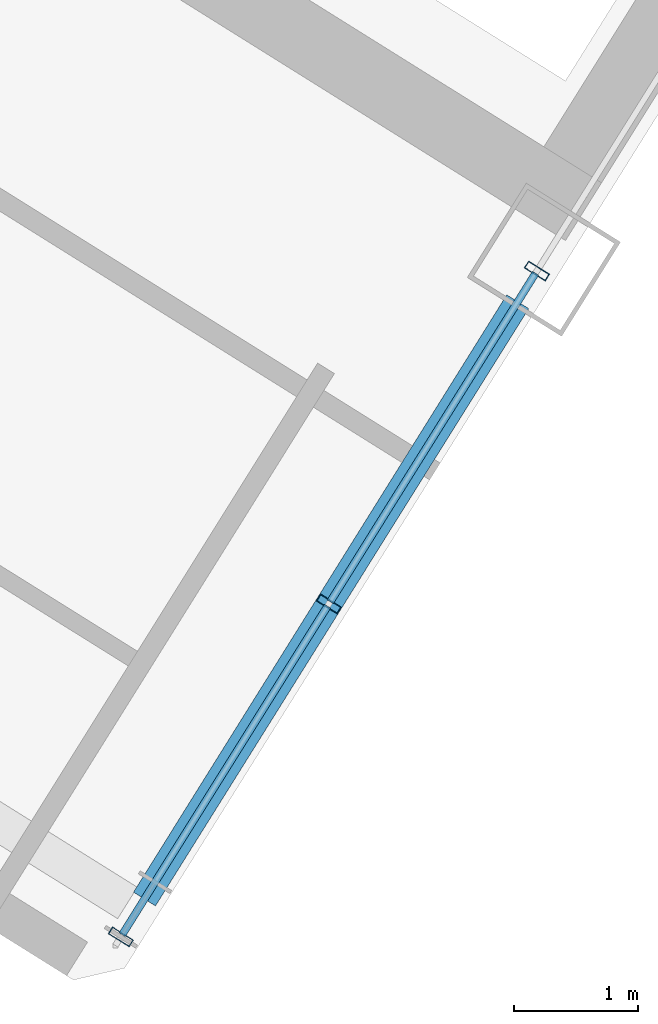
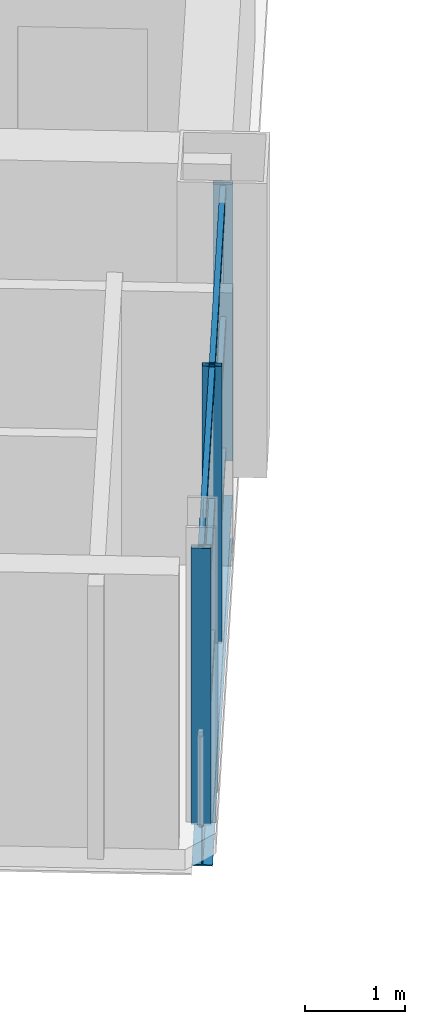
# One storey, part 6 of 18: 9 members, 1 beam, 1 element without a shape of its own.
"""IFC4 building model written with IfcOpenShell, lengths in metres."""

from ifc_helpers import new_model, si_unit, direction, frame, origin, origin_2d, place, context, subcontext, project, spatial, hollow_rectangle, i_section, extrude, source, transform, mapped, material, material_profile, profile_set, type_object, element, aggregate, save


model = new_model("IFC4")

# Units and contexts
model_context = context("Model", 3, precision=1e-05, world=origin(), true_north=direction((0.0, 1.0)))
body_context = subcontext(model_context, "Body", "Model", "MODEL_VIEW")
ifc_project = project(units=[si_unit("LENGTHUNIT", "METRE"), si_unit("AREAUNIT", "SQUARE_METRE"), si_unit("VOLUMEUNIT", "CUBIC_METRE"), si_unit("PLANEANGLEUNIT", "RADIAN"), si_unit("MASSUNIT", "GRAM", prefix="KILO")], contexts=[model_context])

# Site, building, storey
site_placement = place(None, origin())
site = spatial("IfcSite", under=ifc_project, at=site_placement, CompositionType="ELEMENT")
building_placement = place(site_placement, origin())
building = spatial("IfcBuilding", under=site, at=building_placement, Name="Tlacorven Tower", CompositionType="ELEMENT")
storey_placement = place(building_placement, frame((0.0, 0.0, 140.699951171875)))
storey = spatial("IfcBuildingStorey", under=building, at=storey_placement, Name="L35", CompositionType="ELEMENT", Elevation=140.699951171875)

# Beam
ifc_material_1 = material(Name="Steel S355J2", Category="steel")
ifc_material_profile_1 = material_profile(ifc_material_1, i_section(OverallWidth=0.2099609375, OverallDepth=0.550048828125, WebThickness=0.010986328125, FlangeThickness=0.01708984375, at=origin_2d()), Name="IPE 550")
ifc_profile_set_1 = profile_set([ifc_material_profile_1], Name="Steel S355J2")
beam_type = type_object("IfcBeamType", Name="BM-TWR-550", PredefinedType="BEAM", material=ifc_profile_set_1)
shared_shape_1 = source(origin(), body_context, "Body", "SweptSolid", [
    extrude(i_section(OverallWidth=0.2099609375, OverallDepth=0.550048828125, WebThickness=0.010986328125, FlangeThickness=0.01708984375, at=origin_2d()), origin(), (0.0, 0.0, 1.0), 5.699951171875),
])
beam_placement = place(storey_placement, frame((32.834228515625, 11.74755859375, -0.52490234375), z_axis=(-0.529925785607, -0.848044021115, 0.0), x_axis=(0.848044021115, -0.529925785607, 0.0)))
element("IfcBeam", 1, at=beam_placement, inside=storey, type_object=beam_type, Name="L35 beam BM-L35-WT1-2", PredefinedType="BEAM", context=body_context, shape_type="MappedRepresentation", body=[
    mapped(shared_shape_1, transform((0.0, 0.0, 0.0), scale=1.0)),
])

# Curtain wall, members
ifc_material_2 = material(Name="Dark solar low-E double glazing in aluminium frame", Category="aluminium")
curtain_wall_type = type_object("IfcCurtainWallType", Name="CW-TWR-MID", PredefinedType="USERDEFINED", material=ifc_material_2)
curtain_wall_placement = place(storey_placement, origin())
curtain_wall = element("IfcCurtainWall", 2, at=curtain_wall_placement, inside=storey, type_object=curtain_wall_type, Name="L35 CW-TWR-MID Curtain Wall 161", ObjectType="UNITISED CURTAIN WALL", PredefinedType="USERDEFINED")
ifc_material_3 = material(Name="Aluminium 6063-T6 anodised", Category="aluminium")
ifc_material_profile_2 = material_profile(ifc_material_3, hollow_rectangle(XDim=0.06494140625, YDim=0.199951171875, WallThickness=0.00439453125, at=origin_2d()), Name="ALU MULLION 65X200")
ifc_profile_set_2 = profile_set([ifc_material_profile_2], Name="Aluminium 6063-T6 anodised")
member_type_1 = type_object("IfcMemberType", Name="CWM-02", PredefinedType="MULLION", material=ifc_profile_set_2)
shared_shape_2 = source(origin(), body_context, "Body", "SweptSolid", [
    extrude(hollow_rectangle(XDim=0.06494140625, YDim=0.199951171875, WallThickness=0.00439453125, at=origin_2d()), origin(), (0.0, 0.0, 1.0), 3.380126953125),
])
member_1_placement = place(storey_placement, frame((32.9892578125, 11.99560546875, -0.02001953125), z_axis=(0.0, 0.0, 1.0), x_axis=(-0.529919272078, -0.848048091255, 0.0)))
member_1 = element("IfcMember", 3, at=member_1_placement, type_object=member_type_1, Name="CW-L35-161 Mullion 1", PredefinedType="MULLION", context=body_context, shape_type="MappedRepresentation", body=[
    mapped(shared_shape_2, transform((0.0, 0.0, 0.0), scale=1.0)),
])
member_2_placement = place(storey_placement, frame((31.3056640625, 9.301513671875, -0.02001953125), z_axis=(0.0, 0.0, 1.0), x_axis=(-0.529919272078, -0.848048091255, 0.0)))
member_2 = element("IfcMember", 4, at=member_2_placement, type_object=member_type_1, Name="CW-L35-161 Mullion 2", PredefinedType="MULLION", context=body_context, shape_type="MappedRepresentation", body=[
    mapped(shared_shape_2, transform((0.0, 0.0, 0.0), scale=1.0)),
])
member_3_placement = place(storey_placement, frame((29.622314453125, 6.607421875, -0.02001953125), z_axis=(0.0, 0.0, 1.0), x_axis=(-0.529919272078, -0.848048091255, 0.0)))
member_3 = element("IfcMember", 5, at=member_3_placement, type_object=member_type_1, Name="CW-L35-161 Mullion 3", PredefinedType="MULLION", context=body_context, shape_type="MappedRepresentation", body=[
    mapped(shared_shape_2, transform((0.0, 0.0, 0.0), scale=1.0)),
])
ifc_material_profile_3 = material_profile(ifc_material_3, hollow_rectangle(XDim=0.06005859375, YDim=0.139892578125, WallThickness=0.00390625, at=origin_2d()), Name="ALU TRANSOM 60X140")
ifc_profile_set_3 = profile_set([ifc_material_profile_3], Name="Aluminium 6063-T6 anodised")
member_type_2 = type_object("IfcMemberType", Name="CWT-02", PredefinedType="USERDEFINED", material=ifc_profile_set_3)
shared_shape_3 = source(origin(), body_context, "Body", "SweptSolid", [
    extrude(hollow_rectangle(XDim=0.06005859375, YDim=0.139892578125, WallThickness=0.00390625, at=origin_2d()), origin(), (0.0, 0.0, 1.0), 3.1357421875),
])
member_4_placement = place(storey_placement, frame((32.978271484375, 11.978271484375, 0.070068359375), z_axis=(-0.529914953616, -0.848050789714, 0.0), x_axis=(0.848050789714, -0.529914953616, 0.0)))
member_4 = element("IfcMember", 6, at=member_4_placement, type_object=member_type_2, Name="CW-L35-161 Transom 1", ObjectType="TRANSOM", PredefinedType="USERDEFINED", context=body_context, shape_type="MappedRepresentation", body=[
    mapped(shared_shape_3, transform((0.0, 0.0, 0.0), scale=1.0)),
])
member_5_placement = place(storey_placement, frame((32.978271484375, 11.978271484375, 1.675048828125), z_axis=(-0.529914953616, -0.848050789714, 0.0), x_axis=(0.848050789714, -0.529914953616, 0.0)))
member_5 = element("IfcMember", 7, at=member_5_placement, type_object=member_type_2, Name="CW-L35-161 Transom 2", ObjectType="TRANSOM", PredefinedType="USERDEFINED", context=body_context, shape_type="MappedRepresentation", body=[
    mapped(shared_shape_3, transform((0.0, 0.0, 0.0), scale=1.0)),
])
member_6_placement = place(storey_placement, frame((32.978271484375, 11.978271484375, 3.280029296875), z_axis=(-0.529914953616, -0.848050789714, 0.0), x_axis=(0.848050789714, -0.529914953616, 0.0)))
member_6 = element("IfcMember", 8, at=member_6_placement, type_object=member_type_2, Name="CW-L35-161 Transom 3", ObjectType="TRANSOM", PredefinedType="USERDEFINED", context=body_context, shape_type="MappedRepresentation", body=[
    mapped(shared_shape_3, transform((0.0, 0.0, 0.0), scale=1.0)),
])
shared_shape_4 = source(origin(), body_context, "Body", "SweptSolid", [
    extrude(hollow_rectangle(XDim=0.06005859375, YDim=0.139892578125, WallThickness=0.00390625, at=origin_2d()), origin(), (0.0, 0.0, 1.0), 3.135986328125),
])
member_7_placement = place(storey_placement, frame((31.294921875, 9.2841796875, 0.070068359375), z_axis=(-0.529935957458, -0.848037664843, 0.0), x_axis=(0.848037664843, -0.529935957458, 0.0)))
member_7 = element("IfcMember", 9, at=member_7_placement, type_object=member_type_2, Name="CW-L35-161 Transom 4", ObjectType="TRANSOM", PredefinedType="USERDEFINED", context=body_context, shape_type="MappedRepresentation", body=[
    mapped(shared_shape_4, transform((0.0, 0.0, 0.0), scale=1.0)),
])
member_8_placement = place(storey_placement, frame((31.294921875, 9.2841796875, 1.675048828125), z_axis=(-0.529935957458, -0.848037664843, 0.0), x_axis=(0.848037664843, -0.529935957458, 0.0)))
member_8 = element("IfcMember", 10, at=member_8_placement, type_object=member_type_2, Name="CW-L35-161 Transom 5", ObjectType="TRANSOM", PredefinedType="USERDEFINED", context=body_context, shape_type="MappedRepresentation", body=[
    mapped(shared_shape_4, transform((0.0, 0.0, 0.0), scale=1.0)),
])
member_9_placement = place(storey_placement, frame((31.294921875, 9.2841796875, 3.280029296875), z_axis=(-0.529935957458, -0.848037664843, 0.0), x_axis=(0.848037664843, -0.529935957458, 0.0)))
member_9 = element("IfcMember", 11, at=member_9_placement, type_object=member_type_2, Name="CW-L35-161 Transom 6", ObjectType="TRANSOM", PredefinedType="USERDEFINED", context=body_context, shape_type="MappedRepresentation", body=[
    mapped(shared_shape_4, transform((0.0, 0.0, 0.0), scale=1.0)),
])
aggregate(curtain_wall, [member_1, member_2, member_3, member_4, member_5, member_6, member_7, member_8, member_9])

save(model, "model.ifc")
